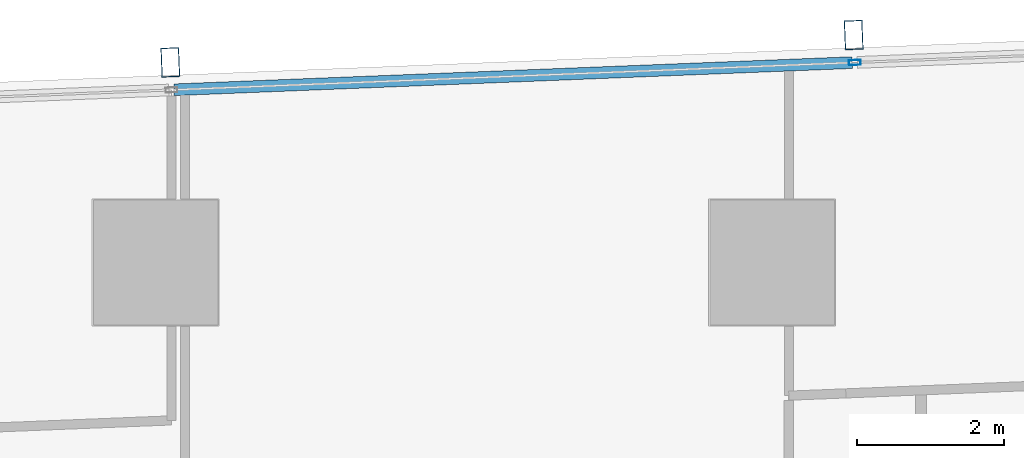
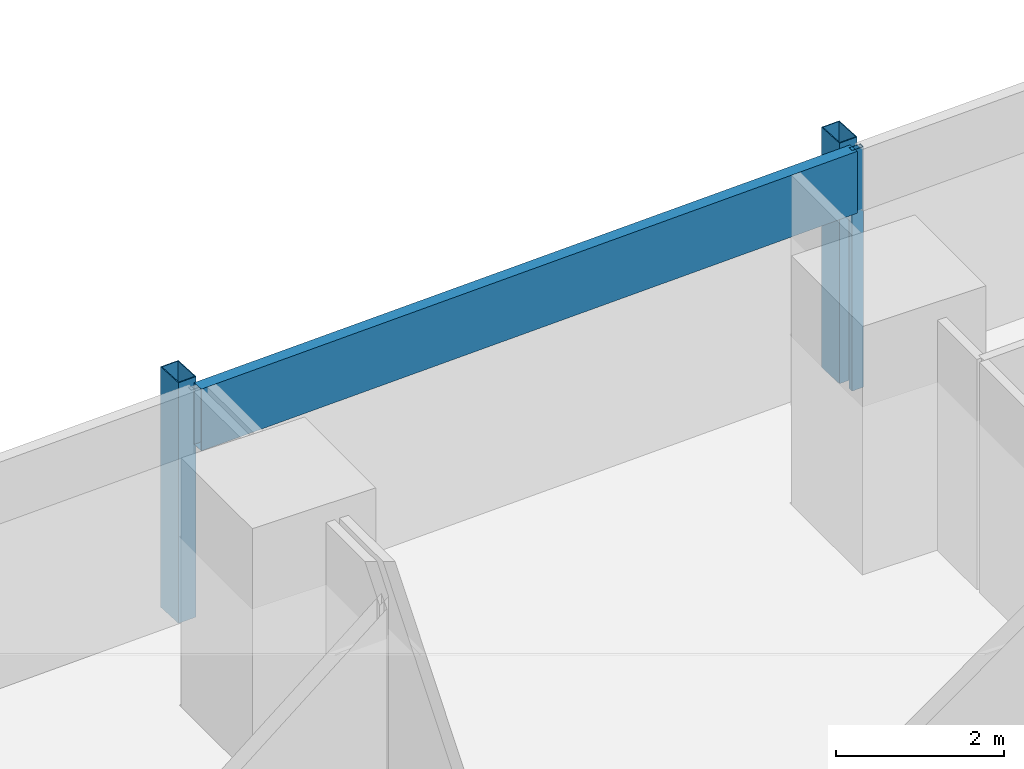
# One storey, part 17 of 40: 4 members, 1 element without a shape of its own.
"""IFC4 building model written with IfcOpenShell, lengths in metres."""

from ifc_helpers import new_model, si_unit, direction, frame, origin, origin_2d, place, context, subcontext, project, spatial, hollow_rectangle, extrude, material, material_profile, profile_set, type_object, element, aggregate, save


model = new_model("IFC4")

# Units and contexts
model_context = context("Model", 3, precision=1e-05, world=origin(), true_north=direction((0.0, 1.0)))
body_context = subcontext(model_context, "Body", "Model", "MODEL_VIEW")
ifc_project = project(units=[si_unit("LENGTHUNIT", "METRE"), si_unit("AREAUNIT", "SQUARE_METRE"), si_unit("VOLUMEUNIT", "CUBIC_METRE"), si_unit("PLANEANGLEUNIT", "RADIAN"), si_unit("MASSUNIT", "GRAM", prefix="KILO")], contexts=[model_context])

# Site, building, storey
site_placement = place(None, origin())
site = spatial("IfcSite", under=ifc_project, at=site_placement, CompositionType="ELEMENT")
building_placement = place(site_placement, origin())
building = spatial("IfcBuilding", under=site, at=building_placement, Name="Rekha Terrace Tower", CompositionType="ELEMENT")
storey_placement = place(building_placement, frame((0.0, 0.0, 102.800048828125)))
storey = spatial("IfcBuildingStorey", under=building, at=storey_placement, Name="L25", CompositionType="ELEMENT", Elevation=102.800048828125)

# Curtain wall, members
ifc_material_1 = material(Name="Aluminium framing", Category="aluminium")
curtain_wall_type = type_object("IfcCurtainWallType", Name="CW3 north unitised glazing", PredefinedType="USERDEFINED", material=ifc_material_1)
curtain_wall_placement = place(storey_placement, origin())
curtain_wall = element("IfcCurtainWall", 1, at=curtain_wall_placement, inside=storey, type_object=curtain_wall_type, Name="CW3 unitised curtain wall", ObjectType="UNITISED CURTAIN WALL", PredefinedType="USERDEFINED")
ifc_material_2 = material(Name="Steel S355 with fluorocarbon finish", Category="steel")
ifc_material_profile_1 = material_profile(ifc_material_2, hollow_rectangle(XDim=0.25, YDim=0.39990234375, WallThickness=0.012451171875, at=origin_2d()), Name="RHS400x250x12.5")
ifc_profile_set_1 = profile_set([ifc_material_profile_1], Name="Steel S355 with fluorocarbon finish")
member_type_1 = type_object("IfcMemberType", Name="BL1 facade blade RHS 400 x 250", PredefinedType="USERDEFINED", material=ifc_profile_set_1)
member_1_placement = place(storey_placement, frame((34.7109375, 61.9013671875, 0.0), z_axis=(0.0, 0.0, 1.0), x_axis=(-0.999198382632, -0.040032388711, 0.0)))
member_1 = element("IfcMember", 2, at=member_1_placement, type_object=member_type_1, Name="Facade blade", ObjectType="FACADE BLADE", PredefinedType="USERDEFINED", context=body_context, shape_type="SweptSolid", body=[
    extrude(hollow_rectangle(XDim=0.25, YDim=0.39990234375, WallThickness=0.012451171875, at=origin_2d()), origin(), (0.0, 0.0, 1.0), 3.5),
])
member_2_placement = place(storey_placement, frame((25.39892578125, 61.5283203125, 0.0), z_axis=(0.0, 0.0, 1.0), x_axis=(-0.999198382632, -0.040032388711, 0.0)))
member_2 = element("IfcMember", 3, at=member_2_placement, type_object=member_type_1, Name="Facade blade", ObjectType="FACADE BLADE", PredefinedType="USERDEFINED", context=body_context, shape_type="SweptSolid", body=[
    extrude(hollow_rectangle(XDim=0.25, YDim=0.39990234375, WallThickness=0.012451171875, at=origin_2d()), origin(), (0.0, 0.0, 1.0), 3.5),
])
ifc_material_3 = material(Name="Aluminium mullion section", Category="aluminium")
ifc_material_profile_2 = material_profile(ifc_material_3, hollow_rectangle(XDim=0.070068359375, YDim=0.159912109375, WallThickness=0.00390625, at=origin_2d()), Name="AL RHS 70x160")
ifc_profile_set_2 = profile_set([ifc_material_profile_2], Name="Aluminium mullion section")
member_type_2 = type_object("IfcMemberType", Name="CW3 mullion RHS 70 x 160", PredefinedType="MULLION", material=ifc_profile_set_2)
member_3_placement = place(storey_placement, frame((34.725830078125, 61.526611328125, 0.0), z_axis=(0.0, 0.0, 1.0), x_axis=(0.040031987119, -0.999198398721, 0.0)))
member_3 = element("IfcMember", 4, at=member_3_placement, type_object=member_type_2, Name="CW3 mullion 2", PredefinedType="MULLION", context=body_context, shape_type="SweptSolid", body=[
    extrude(hollow_rectangle(XDim=0.070068359375, YDim=0.159912109375, WallThickness=0.00390625, at=origin_2d()), origin(), (0.0, 0.0, 1.0), 3.5),
])
ifc_material_4 = material(Name="Insulated aluminium spandrel box", Category="aluminium")
ifc_material_profile_3 = material_profile(ifc_material_4, hollow_rectangle(XDim=0.159912109375, YDim=0.89990234375, WallThickness=0.0029296875, at=origin_2d()), Name="AL SPANDREL BOX 160x900")
ifc_profile_set_3 = profile_set([ifc_material_profile_3], Name="Insulated aluminium spandrel box")
member_type_3 = type_object("IfcMemberType", Name="CW3 spandrel transom 160 x 900", PredefinedType="USERDEFINED", material=ifc_profile_set_3)
member_4_placement = place(storey_placement, frame((34.69091796875, 61.525390625, 3.050048828125), z_axis=(-0.999198046754, -0.040040771263, 0.0), x_axis=(0.040040771263, -0.999198046754, 0.0)))
member_4 = element("IfcMember", 5, at=member_4_placement, type_object=member_type_3, Name="CW3 spandrel transom 2", ObjectType="TRANSOM", PredefinedType="USERDEFINED", context=body_context, shape_type="SweptSolid", body=[
    extrude(hollow_rectangle(XDim=0.159912109375, YDim=0.89990234375, WallThickness=0.0029296875, at=origin_2d()), origin(), (0.0, 0.0, 1.0), 9.24951171875),
])
aggregate(curtain_wall, [member_3, member_4, member_1, member_2])

save(model, "model.ifc")
